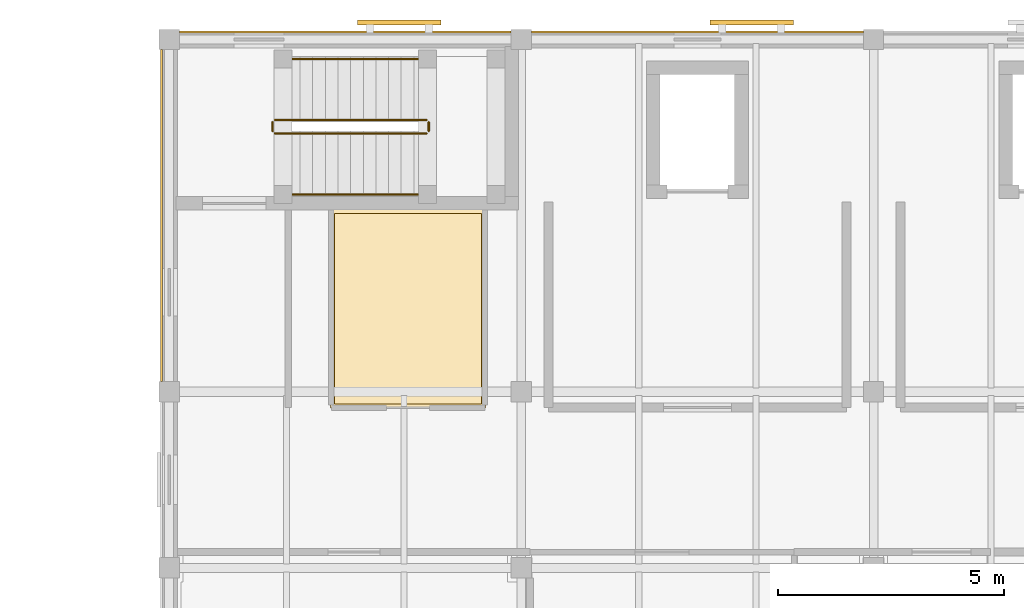
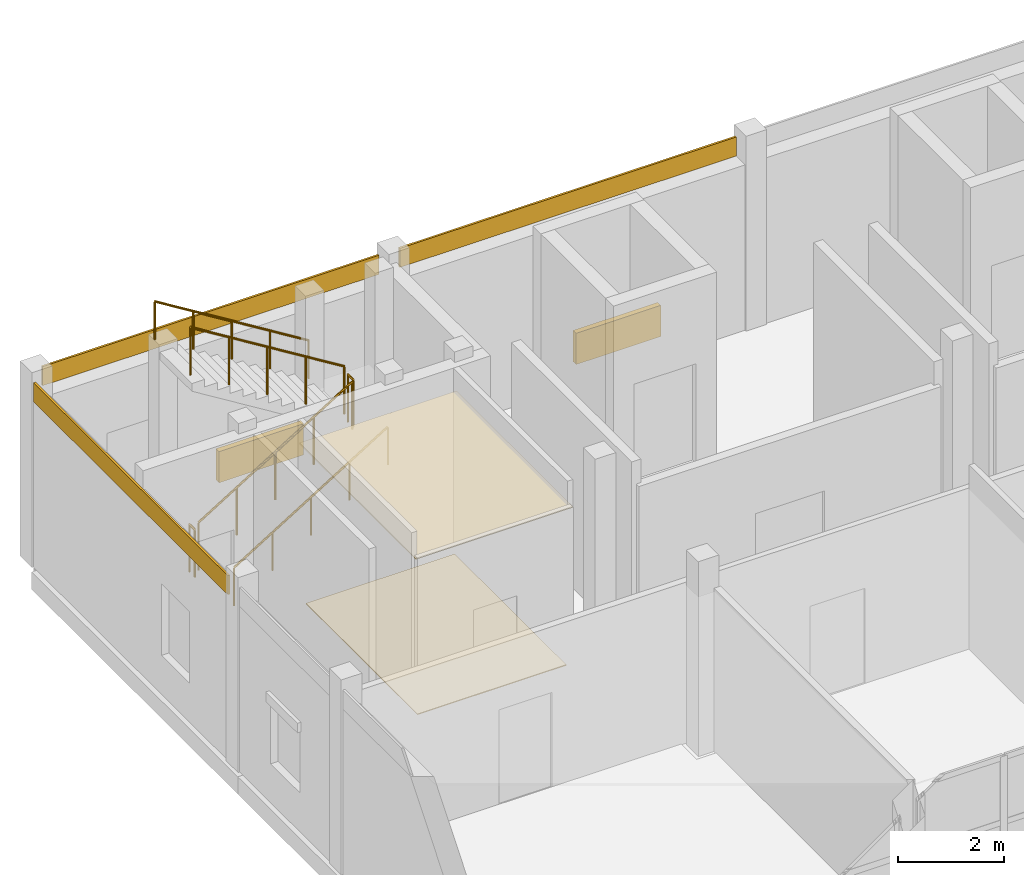
# One storey, part 42 of 45: 6 railings, 5 coverings, 2 shading devices.
"""IFC4 building model written with IfcOpenShell, lengths in metres."""

from ifc_helpers import new_model, si_unit, direction, frame, origin, origin_2d, place, context, subcontext, project, spatial, polyline, rectangle, circle, outline, extrude, material, layer, layer_set, type_object, element, save


model = new_model("IFC4")

# Units and contexts
model_context = context("Model", 3, precision=1e-05, world=origin(), true_north=direction((0.0, 1.0)))
body_context = subcontext(model_context, "Body", "Model", "MODEL_VIEW")
ifc_project = project(units=[si_unit("LENGTHUNIT", "METRE"), si_unit("AREAUNIT", "SQUARE_METRE"), si_unit("VOLUMEUNIT", "CUBIC_METRE"), si_unit("PLANEANGLEUNIT", "RADIAN"), si_unit("MASSUNIT", "GRAM", prefix="KILO")], contexts=[model_context])

# Site, building, storey
site_placement = place(None, origin())
site = spatial("IfcSite", under=ifc_project, at=site_placement, CompositionType="ELEMENT")
building_placement = place(site_placement, origin())
building = spatial("IfcBuilding", under=site, at=building_placement, Name="Celorna Specialist Clinic", CompositionType="ELEMENT")
storey_placement = place(building_placement, frame((0.0, 0.0, 18.60009765625)))
storey = spatial("IfcBuildingStorey", under=building, at=storey_placement, Name="L04", CompositionType="ELEMENT", Elevation=18.60009765625)

# Coverings
ifc_material_1 = material(Name="Hygienic acoustic mineral-fibre ceiling")
ifc_layer_1 = layer(ifc_material_1, 0.030029296875, Name="Hygienic acoustic mineral-fibre ceiling")
ifc_layer_set_1 = layer_set([ifc_layer_1], Name="Hygienic acoustic mineral-fibre ceiling")
covering_type_1 = type_object("IfcCoveringType", Name="CE-01", PredefinedType="CEILING", material=ifc_layer_set_1)
covering_1_placement = place(storey_placement, frame((0.0, 0.0, 3.669921875)))
element("IfcCovering", 1, at=covering_1_placement, inside=storey, type_object=covering_type_1, Name="Acoustic ceiling L04-016", PredefinedType="CEILING", context=body_context, shape_type="SweptSolid", body=[
    extrude(outline(polyline([(50.375, 112.235107421875), (53.804931640625, 112.235107421875), (53.804931640625, 107.8349609375), (50.375, 107.8349609375), (50.375, 112.235107421875)])), origin(), (0.0, 0.0, 1.0), 0.030029296875),
])
ifc_material_2 = material(Name="Pero Pinheiro Lioz limestone rainscreen cladding", Category="masonry")
ifc_layer_2 = layer(ifc_material_2, 0.044921875, Name="Pero Pinheiro Lioz limestone rainscreen cladding")
ifc_layer_set_2 = layer_set([ifc_layer_2], Name="Pero Pinheiro Lioz limestone rainscreen cladding")
covering_type_2 = type_object("IfcCoveringType", Name="CL-01", PredefinedType="CLADDING", material=ifc_layer_set_2)
for number, where, z_axis, x_axis, name in (
    (2, (50.699951171875, 116.16748046875, 3.81982421875), (0.0, 0.0, 1.0), (1.0, 0.0, 0.0), "Lioz spandrel cladding #274"),
    (3, (58.5, 116.16748046875, 3.81982421875), (0.0, 0.0, 1.0), (1.0, 0.0, 0.0), "Lioz spandrel cladding #275"),
    (4, (46.632568359375, 112.10009765625, 3.81982421875), (0.0, 0.0, 1.0), (0.0, 1.0, 0.0), "Lioz spandrel cladding #282"),
):
    element("IfcCovering", number, at=place(storey_placement, frame(where, z_axis=z_axis, x_axis=x_axis)), inside=storey, type_object=covering_type_2, Name=name, PredefinedType="CLADDING", context=body_context, shape_type="SweptSolid", body=[
        extrude(rectangle(XDim=7.35009765625, YDim=0.044921875, at=origin_2d()), origin(), (0.0, 0.0, 1.0), 0.43994140625),
    ])
ifc_material_3 = material(Name="Seamless antimicrobial clinical vinyl and Lioz terrazzo flooring")
ifc_layer_3 = layer(ifc_material_3, 0.02001953125, Name="Seamless antimicrobial clinical vinyl and Lioz terrazzo flooring")
ifc_layer_set_3 = layer_set([ifc_layer_3], Name="Seamless antimicrobial clinical vinyl and Lioz terrazzo flooring")
covering_type_3 = type_object("IfcCoveringType", Name="FL-01", PredefinedType="FLOORING", material=ifc_layer_set_3)
covering_2_placement = place(storey_placement, origin())
element("IfcCovering", 5, at=covering_2_placement, inside=storey, type_object=covering_type_3, Name="Antimicrobial clinical flooring L04-016", PredefinedType="FLOORING", context=body_context, shape_type="SweptSolid", body=[
    extrude(outline(polyline([(50.465087890625, 107.925048828125), (50.465087890625, 112.14501953125), (53.715087890625, 112.14501953125), (53.715087890625, 107.925048828125), (50.465087890625, 107.925048828125)])), origin(), (0.0, 0.0, 1.0), 0.02001953125),
])

# Railings
ifc_material_4 = material(Name="Powder-coated steel S355", Category="steel")
railing_type_1 = type_object("IfcRailingType", Name="GR-01", PredefinedType="GUARDRAIL", material=ifc_material_4)
railing_1_placement = place(storey_placement, frame((49.139892578125, 113.919921875, 0.173095703125)))
element("IfcRailing", 6, at=railing_1_placement, inside=storey, type_object=railing_type_1, Name="L04 ST-01 stair guard 1", PredefinedType="GUARDRAIL", context=body_context, shape_type="SweptSolid", body=[
    extrude(circle(Radius=0.02392578125, at=origin_2d()), frame((0.0, 0.0, 1.09619140625), z_axis=(0.850623216509, 0.0, 0.525775754039), x_axis=(0.0, 1.0, 0.0)), (0.0, 0.0, 1.0), 3.9501953125),
    extrude(circle(Radius=0.02099609375, at=origin_2d()), origin(), (0.0, 0.0, 1.0), 1.072021484375),
    extrude(circle(Radius=0.02099609375, at=origin_2d()), frame((0.840087890625, 0.0, 0.519287109375)), (0.0, 0.0, 1.0), 1.072021484375),
    extrude(circle(Radius=0.02099609375, at=origin_2d()), frame((1.68017578125, 0.0, 1.03857421875)), (0.0, 0.0, 1.0), 1.072021484375),
    extrude(circle(Radius=0.02099609375, at=origin_2d()), frame((2.52001953125, 0.0, 1.5576171875)), (0.0, 0.0, 1.0), 1.072021484375),
    extrude(circle(Radius=0.02099609375, at=origin_2d()), frame((3.360107421875, 0.0, 2.076904296875)), (0.0, 0.0, 1.0), 1.072021484375),
])
railing_2_placement = place(storey_placement, frame((52.550048828125, 113.969970703125, 2.25)))
element("IfcRailing", 7, at=railing_2_placement, inside=storey, type_object=railing_type_1, Name="L04 ST-01 stair guard 2", PredefinedType="GUARDRAIL", context=body_context, shape_type="SweptSolid", body=[
    extrude(circle(Radius=0.02392578125, at=origin_2d()), frame((0.0, 0.0, 1.09619140625), z_axis=(0.0, 1.0, 0.0), x_axis=(-1.0, 0.0, 0.0)), (0.0, 0.0, 1.0), 0.199951171875),
    extrude(circle(Radius=0.02099609375, at=origin_2d()), origin(), (0.0, 0.0, 1.0), 1.072021484375),
    extrude(circle(Radius=0.02099609375, at=origin_2d()), frame((0.0, 0.199951171875, 0.0)), (0.0, 0.0, 1.0), 1.072021484375),
])
railing_3_placement = place(storey_placement, frame((52.5, 114.219970703125, 2.423095703125)))
element("IfcRailing", 8, at=railing_3_placement, inside=storey, type_object=railing_type_1, Name="L04 ST-01 stair guard 3", PredefinedType="GUARDRAIL", context=body_context, shape_type="SweptSolid", body=[
    extrude(circle(Radius=0.02392578125, at=origin_2d()), frame((0.0, 0.0, 1.09619140625), z_axis=(-0.850623216509, 0.0, 0.525775754039), x_axis=(0.0, -1.0, 0.0)), (0.0, 0.0, 1.0), 3.9501953125),
    extrude(circle(Radius=0.02099609375, at=origin_2d()), origin(), (0.0, 0.0, 1.0), 1.072021484375),
    extrude(circle(Radius=0.02099609375, at=origin_2d()), frame((-0.840087890625, 0.0, 0.519287109375)), (0.0, 0.0, 1.0), 1.072021484375),
    extrude(circle(Radius=0.02099609375, at=origin_2d()), frame((-1.68017578125, 0.0, 1.03857421875)), (0.0, 0.0, 1.0), 1.072021484375),
    extrude(circle(Radius=0.02099609375, at=origin_2d()), frame((-2.52001953125, 0.0, 1.5576171875)), (0.0, 0.0, 1.0), 1.072021484375),
    extrude(circle(Radius=0.02099609375, at=origin_2d()), frame((-3.360107421875, 0.0, 2.076904296875)), (0.0, 0.0, 1.0), 1.072021484375),
])
railing_4_placement = place(storey_placement, frame((49.090087890625, 113.969970703125, 0.0)))
element("IfcRailing", 9, at=railing_4_placement, inside=storey, type_object=railing_type_1, Name="L04 ST-01 stair guard 4", PredefinedType="GUARDRAIL", context=body_context, shape_type="SweptSolid", body=[
    extrude(circle(Radius=0.02392578125, at=origin_2d()), frame((0.0, 0.0, 1.09619140625), z_axis=(0.0, 1.0, 0.0), x_axis=(-1.0, 0.0, 0.0)), (0.0, 0.0, 1.0), 0.199951171875),
    extrude(circle(Radius=0.02099609375, at=origin_2d()), origin(), (0.0, 0.0, 1.0), 1.072021484375),
    extrude(circle(Radius=0.02099609375, at=origin_2d()), frame((0.0, 0.199951171875, 0.0)), (0.0, 0.0, 1.0), 1.072021484375),
])
ifc_material_5 = material(Name="Brushed stainless steel handrail", Category="steel")
railing_type_2 = type_object("IfcRailingType", Name="HR-01", PredefinedType="HANDRAIL", material=ifc_material_5)
railing_5_placement = place(storey_placement, frame((49.139892578125, 112.570068359375, 0.173095703125)))
element("IfcRailing", 10, at=railing_5_placement, inside=storey, type_object=railing_type_2, Name="L04 ST-01 stair handrail 1", PredefinedType="HANDRAIL", context=body_context, shape_type="SweptSolid", body=[
    extrude(circle(Radius=0.02392578125, at=origin_2d()), frame((0.0, 0.0, 0.8759765625), z_axis=(0.850623216509, 0.0, 0.525775754039), x_axis=(0.0, 1.0, 0.0)), (0.0, 0.0, 1.0), 3.9501953125),
    extrude(circle(Radius=0.02099609375, at=origin_2d()), origin(), (0.0, 0.0, 1.0), 0.851806640625),
    extrude(circle(Radius=0.02099609375, at=origin_2d()), frame((0.840087890625, 0.0, 0.519287109375)), (0.0, 0.0, 1.0), 0.851806640625),
    extrude(circle(Radius=0.02099609375, at=origin_2d()), frame((1.68017578125, 0.0, 1.03857421875)), (0.0, 0.0, 1.0), 0.851806640625),
    extrude(circle(Radius=0.02099609375, at=origin_2d()), frame((2.52001953125, 0.0, 1.5576171875)), (0.0, 0.0, 1.0), 0.851806640625),
    extrude(circle(Radius=0.02099609375, at=origin_2d()), frame((3.360107421875, 0.0, 2.076904296875)), (0.0, 0.0, 1.0), 0.851806640625),
])
railing_6_placement = place(storey_placement, frame((52.5, 115.570068359375, 2.423095703125)))
element("IfcRailing", 11, at=railing_6_placement, inside=storey, type_object=railing_type_2, Name="L04 ST-01 stair handrail 2", PredefinedType="HANDRAIL", context=body_context, shape_type="SweptSolid", body=[
    extrude(circle(Radius=0.02392578125, at=origin_2d()), frame((0.0, 0.0, 0.8759765625), z_axis=(-0.850623216509, 0.0, 0.525775754039), x_axis=(0.0, -1.0, 0.0)), (0.0, 0.0, 1.0), 3.9501953125),
    extrude(circle(Radius=0.02099609375, at=origin_2d()), origin(), (0.0, 0.0, 1.0), 0.851806640625),
    extrude(circle(Radius=0.02099609375, at=origin_2d()), frame((-0.840087890625, 0.0, 0.519287109375)), (0.0, 0.0, 1.0), 0.851806640625),
    extrude(circle(Radius=0.02099609375, at=origin_2d()), frame((-1.68017578125, 0.0, 1.03857421875)), (0.0, 0.0, 1.0), 0.851806640625),
    extrude(circle(Radius=0.02099609375, at=origin_2d()), frame((-2.52001953125, 0.0, 1.5576171875)), (0.0, 0.0, 1.0), 0.851806640625),
    extrude(circle(Radius=0.02099609375, at=origin_2d()), frame((-3.360107421875, 0.0, 2.076904296875)), (0.0, 0.0, 1.0), 0.851806640625),
])

# Shading devices
ifc_material_6 = material(Name="Perforated terracotta brick weave screen", Category="masonry")
ifc_layer_4 = layer(ifc_material_6, 0.114990234375, Name="Perforated terracotta brick weave screen")
ifc_layer_set_4 = layer_set([ifc_layer_4], Name="Perforated terracotta brick weave screen")
shading_device_type = type_object("IfcShadingDeviceType", Name="SCR-01", PredefinedType="USERDEFINED", material=ifc_layer_set_4)
for number, where, z_axis, x_axis, name in (
    (12, (51.89990234375, 116.375, 0.08984375), (0.0, 0.0, 1.0), (1.0, 0.0, 0.0), "Woven perforated terracotta brick screen #1"),
    (13, (59.699951171875, 116.375, 0.08984375), (0.0, 0.0, 1.0), (1.0, 0.0, 0.0), "Woven perforated terracotta brick screen #2"),
):
    element("IfcShadingDevice", number, at=place(storey_placement, frame(where, z_axis=z_axis, x_axis=x_axis)), inside=storey, type_object=shading_device_type, Name=name, ObjectType="SCREEN", PredefinedType="USERDEFINED", context=body_context, shape_type="SweptSolid", body=[
        extrude(rectangle(XDim=1.85009765625, YDim=0.114990234375, at=origin_2d()), origin(), (0.0, 0.0, 1.0), 0.719970703125),
    ])

save(model, "model.ifc")
